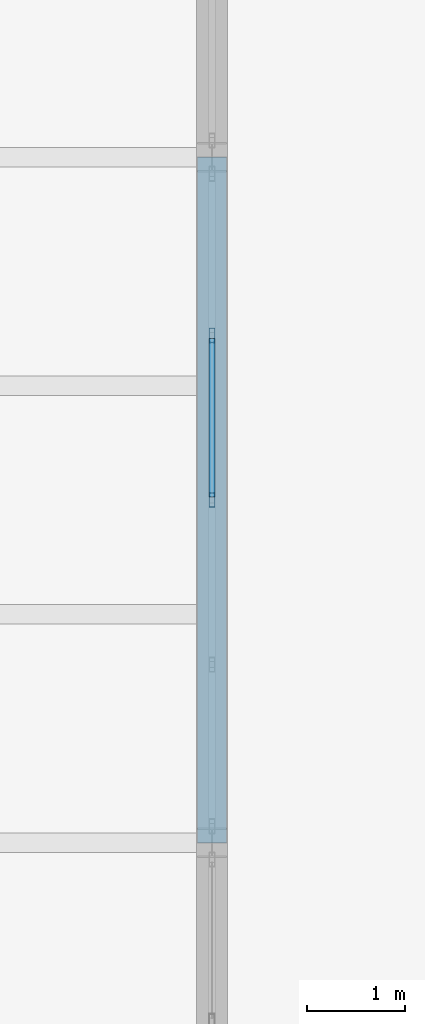
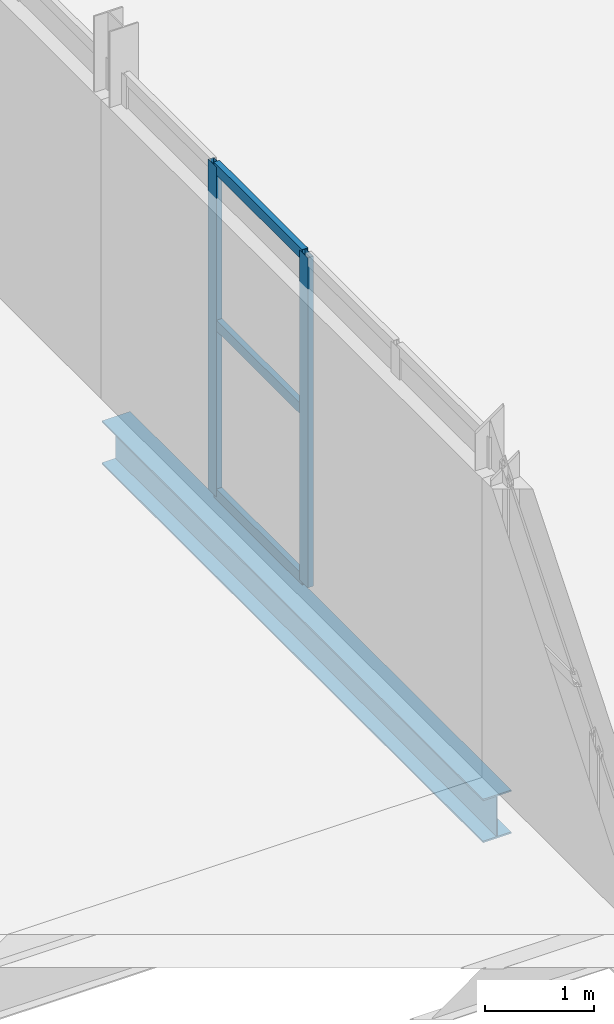
# One storey, part 21 of 39: 5 members, 1 beam, 1 element without a shape of its own.
"""IFC4 building model written with IfcOpenShell, lengths in metres."""

from ifc_helpers import new_model, si_unit, direction, frame, origin, origin_2d, place, context, subcontext, project, spatial, hollow_rectangle, i_section, extrude, material, material_profile, profile_set, type_object, element, aggregate, save


model = new_model("IFC4")

# Units and contexts
model_context = context("Model", 3, precision=1e-05, world=origin(), true_north=direction((0.0, 1.0)))
body_context = subcontext(model_context, "Body", "Model", "MODEL_VIEW")
ifc_project = project(units=[si_unit("LENGTHUNIT", "METRE"), si_unit("AREAUNIT", "SQUARE_METRE"), si_unit("VOLUMEUNIT", "CUBIC_METRE"), si_unit("PLANEANGLEUNIT", "RADIAN"), si_unit("MASSUNIT", "GRAM", prefix="KILO")], contexts=[model_context])

# Site, building, storey
site_placement = place(None, origin())
site = spatial("IfcSite", under=ifc_project, at=site_placement, CompositionType="ELEMENT")
building_placement = place(site_placement, origin())
building = spatial("IfcBuilding", under=site, at=building_placement, Name="Kazenagashi Tramway Depot", CompositionType="ELEMENT")
storey_placement = place(building_placement, frame((0.0, 0.0, 11.1)))
storey = spatial("IfcBuildingStorey", under=building, at=storey_placement, Name="L03", CompositionType="ELEMENT", Elevation=11.1)

# Curtain wall, members
ifc_material_1 = material(Name="Anodised Aluminium and Low-E Glazing", Category="aluminium")
curtain_wall_type = type_object("IfcCurtainWallType", Name="CW-26", PredefinedType="USERDEFINED", material=ifc_material_1)
curtain_wall_placement = place(storey_placement, origin())
curtain_wall = element("IfcCurtainWall", 1, at=curtain_wall_placement, inside=storey, type_object=curtain_wall_type, Name="Industrial Glazed Screen CW-26 CW-0148", ObjectType="GLAZED SCREEN", PredefinedType="USERDEFINED")
ifc_material_2 = material(Name="Anodised Aluminium", Category="aluminium")
ifc_material_profile_1 = material_profile(ifc_material_2, hollow_rectangle(XDim=0.06, YDim=0.15, WallThickness=0.004, at=origin_2d()), Name="RHS-150x60x4")
ifc_profile_set_1 = profile_set([ifc_material_profile_1], Name="Anodised Aluminium")
member_type_1 = type_object("IfcMemberType", Name="ML-01", PredefinedType="MULLION", material=ifc_profile_set_1)
member_1_placement = place(storey_placement, frame((36.75, 45.5, 0.0), z_axis=(0.0, 0.0, 1.0), x_axis=(-1.0, 0.0, 0.0)))
member_1 = element("IfcMember", 2, at=member_1_placement, type_object=member_type_1, Name="CW-26 mullion 3", PredefinedType="MULLION", context=body_context, shape_type="SweptSolid", body=[
    extrude(hollow_rectangle(XDim=0.06, YDim=0.15, WallThickness=0.004, at=origin_2d()), origin(), (0.0, 0.0, 1.0), 3.7),
])
member_2_placement = place(storey_placement, frame((36.75, 47.18, 0.0), z_axis=(0.0, 0.0, 1.0), x_axis=(-1.0, 0.0, 0.0)))
member_2 = element("IfcMember", 3, at=member_2_placement, type_object=member_type_1, Name="CW-26 mullion 4", PredefinedType="MULLION", context=body_context, shape_type="SweptSolid", body=[
    extrude(hollow_rectangle(XDim=0.06, YDim=0.15, WallThickness=0.004, at=origin_2d()), origin(), (0.0, 0.0, 1.0), 3.7),
])

# Beam
ifc_material_3 = material(Name="Steel SN490B", Category="steel")
ifc_material_profile_2 = material_profile(ifc_material_3, i_section(OverallWidth=0.3, OverallDepth=0.488, WebThickness=0.011, FlangeThickness=0.018, at=origin_2d()), Name="H-488x300x11x18")
ifc_profile_set_2 = profile_set([ifc_material_profile_2], Name="Steel SN490B")
beam_type = type_object("IfcBeamType", Name="SP-02", PredefinedType="SPANDREL", material=ifc_profile_set_2)
beam_placement = place(storey_placement, frame((36.75, 42.0, -0.494), z_axis=(0.0, 1.0, 0.0), x_axis=(-1.0, 0.0, 0.0)))
element("IfcBeam", 4, at=beam_placement, inside=storey, type_object=beam_type, Name="Beam SP-02 BM-0405", PredefinedType="SPANDREL", context=body_context, shape_type="SweptSolid", body=[
    extrude(i_section(OverallWidth=0.3, OverallDepth=0.488, WebThickness=0.011, FlangeThickness=0.018, at=origin_2d()), origin(), (0.0, 0.0, 1.0), 7.0),
])

# Member
ifc_material_profile_3 = material_profile(ifc_material_2, hollow_rectangle(XDim=0.06, YDim=0.12, WallThickness=0.004, at=origin_2d()), Name="RHS-120x60x4")
ifc_profile_set_3 = profile_set([ifc_material_profile_3], Name="Anodised Aluminium")
member_type_2 = type_object("IfcMemberType", Name="TR-01", PredefinedType="USERDEFINED", material=ifc_profile_set_3)
member_3_placement = place(storey_placement, frame((36.75, 45.53, 0.03), z_axis=(0.0, 1.0, 0.0), x_axis=(-1.0, 0.0, 0.0)))
member_3 = element("IfcMember", 5, at=member_3_placement, type_object=member_type_2, Name="CW-26 transom 3.1", ObjectType="TRANSOM", PredefinedType="USERDEFINED", context=body_context, shape_type="SweptSolid", body=[
    extrude(hollow_rectangle(XDim=0.06, YDim=0.12, WallThickness=0.004, at=origin_2d()), origin(), (0.0, 0.0, 1.0), 1.62),
])

member_4_placement = place(storey_placement, frame((36.75, 45.53, 1.924), z_axis=(0.0, 1.0, 0.0), x_axis=(-1.0, 0.0, 0.0)))
member_4 = element("IfcMember", 6, at=member_4_placement, type_object=member_type_2, Name="CW-26 transom 3.2", ObjectType="TRANSOM", PredefinedType="USERDEFINED", context=body_context, shape_type="SweptSolid", body=[
    extrude(hollow_rectangle(XDim=0.06, YDim=0.12, WallThickness=0.004, at=origin_2d()), origin(), (0.0, 0.0, 1.0), 1.62),
])

member_5_placement = place(storey_placement, frame((36.75, 45.53, 3.67), z_axis=(0.0, 1.0, 0.0), x_axis=(-1.0, 0.0, 0.0)))
member_5 = element("IfcMember", 7, at=member_5_placement, type_object=member_type_2, Name="CW-26 transom 3.3", ObjectType="TRANSOM", PredefinedType="USERDEFINED", context=body_context, shape_type="SweptSolid", body=[
    extrude(hollow_rectangle(XDim=0.06, YDim=0.12, WallThickness=0.004, at=origin_2d()), origin(), (0.0, 0.0, 1.0), 1.62),
])

aggregate(curtain_wall, [member_1, member_2, member_3, member_4, member_5])

save(model, "model.ifc")
